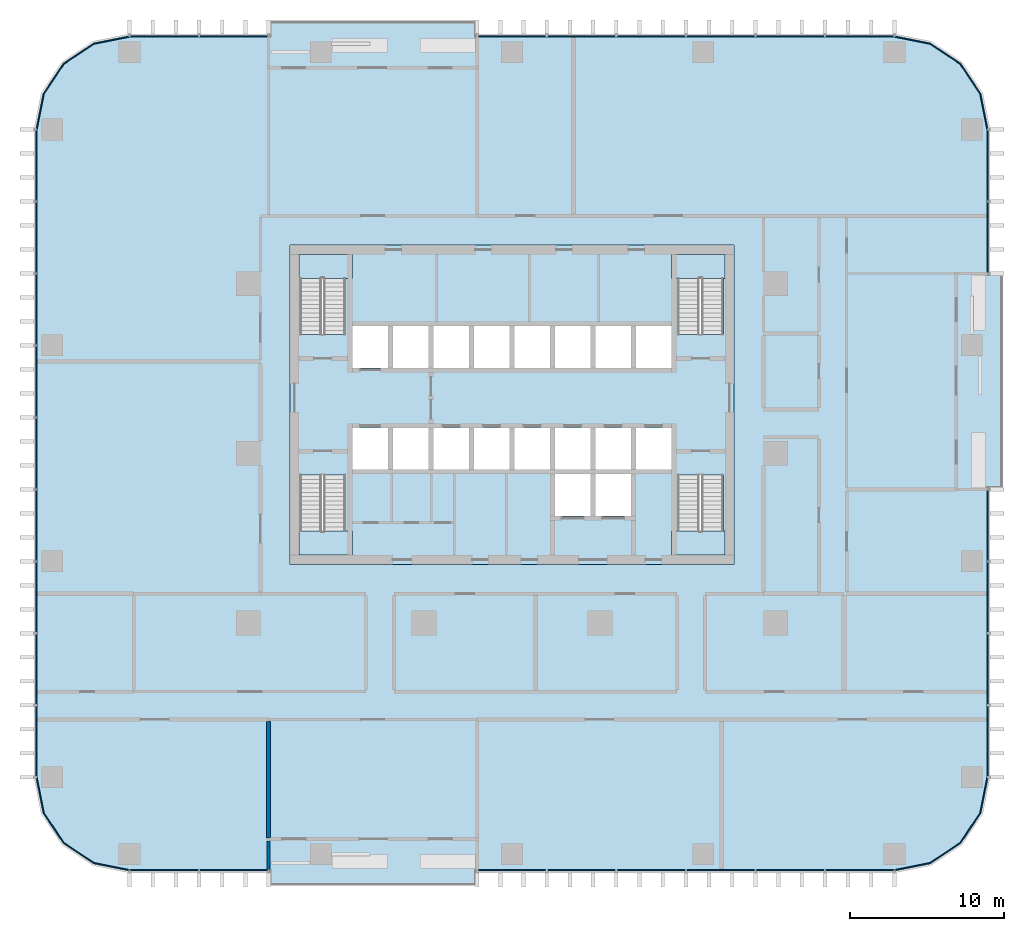
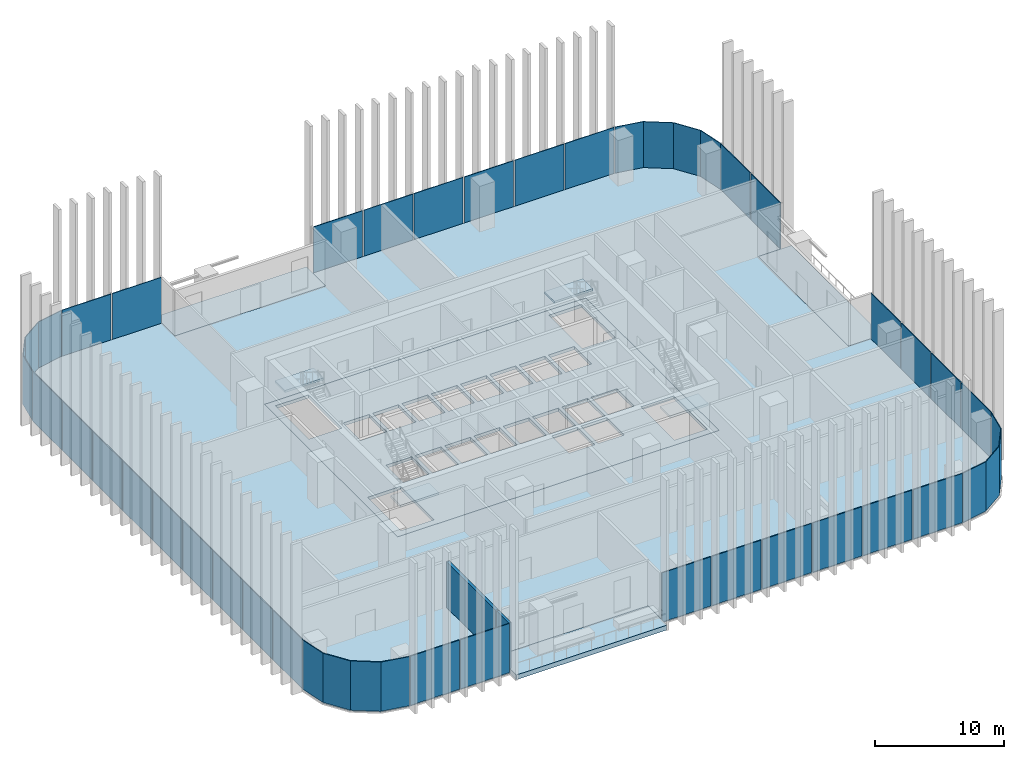
# One storey, part 6 of 17: 35 plates, 9 slabs, 2 walls, 15 elements without a shape of their own.
"""IFC4 building model written with IfcOpenShell, lengths in metres."""

import ifcopenshell
import ifcopenshell.guid

model = None  # the IFC model being written
_history = None  # IfcOwnerHistory: only IFC2X3 demands one
_inside = {}  # id of a spatial element -> (the spatial element, [elements in it])
_under = {}  # id of a project, library or spatial element -> (it, [spatial elements below it])
_declared = {}  # id of a project -> (the project, [libraries it declares])
_typed = {}  # id of a type object -> (the type object, [elements of that type])
_made_of = {}  # id of a material, layer set ... -> (it, [elements and type objects made of it])


def new_model(schema):
    """Start an empty IFC model of exactly this schema.

    Asked for "IFC4X3", IfcOpenShell would pick the latest addendum, in which some entities
    have other attributes; the version numbers below select the first issue.
    IFC2X3 requires an IfcOwnerHistory on every rooted entity: one is made here for all.
    """
    global model, _history
    if schema == "IFC4X3":
        model = ifcopenshell.file(schema_version=(4, 3, 0, 0))
    else:
        model = ifcopenshell.file(schema=schema)
    _inside.clear()
    _under.clear()
    _declared.clear()
    _typed.clear()
    _made_of.clear()
    _history = None
    if model.schema == "IFC2X3":
        org = make("IfcOrganization", Name="unknown")
        user = make(
            "IfcPersonAndOrganization",
            ThePerson=make("IfcPerson", FamilyName="unknown"),
            TheOrganization=org,
        )
        app = make(
            "IfcApplication",
            ApplicationDeveloper=org,
            Version="unknown",
            ApplicationFullName="unknown",
            ApplicationIdentifier="unknown",
        )
        _history = make(
            "IfcOwnerHistory",
            OwningUser=user,
            OwningApplication=app,
            ChangeAction="ADDED",
            CreationDate=0,
        )
    return model


def make(cls, **values):
    """One entity of the class cls with the attributes given. An attribute that is None is left unset."""
    return model.create_entity(
        cls, **{name: value for name, value in values.items() if value is not None}
    )


def rooted(cls, **values):
    """An entity with a GlobalId (a new one), such as an element, a storey or a relation."""
    return make(cls, GlobalId=ifcopenshell.guid.new(), OwnerHistory=_history, **values)


def si_unit(unit_type, name, prefix=None):
    """IfcSIUnit, for example si_unit("LENGTHUNIT", "METRE", prefix="MILLI")."""
    return make("IfcSIUnit", UnitType=unit_type, Prefix=prefix, Name=name)


def assignment(units):
    """IfcUnitAssignment: the units of a project."""
    return None if units is None else make("IfcUnitAssignment", Units=units)


def point(xyz):
    """IfcCartesianPoint."""
    return None if xyz is None else make("IfcCartesianPoint", Coordinates=xyz)


def direction(xyz):
    """IfcDirection."""
    return None if xyz is None else make("IfcDirection", DirectionRatios=xyz)


def frame(location, z_axis=None, x_axis=None):
    """IfcAxis2Placement3D, a coordinate frame: its origin and axes. An axis left out is left unset."""
    return make(
        "IfcAxis2Placement3D",
        Location=point(location),
        Axis=direction(z_axis),
        RefDirection=direction(x_axis),
    )


def frame_2d(location, x_axis=None):
    """IfcAxis2Placement2D, a coordinate frame in the plane: its origin and x axis."""
    return make(
        "IfcAxis2Placement2D", Location=point(location), RefDirection=direction(x_axis)
    )


def origin():
    """The frame at (0, 0, 0) with its axes left unset."""
    return frame((0.0, 0.0, 0.0))


def origin_2d():
    """The frame at (0, 0) in the plane with its x axis left unset."""
    return frame_2d((0.0, 0.0))


def place(relative_to, where):
    """IfcLocalPlacement: puts the frame where relative to a parent placement (None: the world)."""
    return make(
        "IfcLocalPlacement", PlacementRelTo=relative_to, RelativePlacement=where
    )


def context(
    kind, dimensions, precision=None, world=None, true_north=None, identifier=None
):
    """IfcGeometricRepresentationContext, for example the 3D "Model" context."""
    return make(
        "IfcGeometricRepresentationContext",
        ContextIdentifier=identifier,
        ContextType=kind,
        CoordinateSpaceDimension=dimensions,
        Precision=precision,
        WorldCoordinateSystem=world,
        TrueNorth=true_north,
    )


def subcontext(parent, identifier, kind, view, scale=None):
    """IfcGeometricRepresentationSubContext, for example "Body" below "Model"."""
    return make(
        "IfcGeometricRepresentationSubContext",
        ContextIdentifier=identifier,
        ContextType=kind,
        ParentContext=parent,
        TargetScale=scale,
        TargetView=view,
    )


def project(units=None, contexts=None):
    """IfcProject with its units and contexts."""
    return rooted(
        "IfcProject",
        Name="project",
        RepresentationContexts=contexts,
        UnitsInContext=assignment(units),
    )


def spatial(cls, under=None, at=None, **own):
    """A site, building, storey or space (cls), placed at a placement, below another one or the project."""
    s = rooted(cls, ObjectPlacement=at, **own)
    if under is not None:
        _under.setdefault(under.id(), (under, []))[1].append(s)
    return s


def polyline(points):
    """IfcPolyline through the points."""
    return make("IfcPolyline", Points=[point(p) for p in points])


def profile(cls, at=None, kind="AREA", **sizes):
    """A parametric profile (cls). Its sizes go by their IFC names, for example OverallWidth=200.0."""
    return make(cls, ProfileType=kind, Position=at, **sizes)


def rectangle(**sizes):
    """IfcRectangleProfileDef."""
    return profile("IfcRectangleProfileDef", **sizes)


def outline(outer, holes=None, kind="AREA"):
    """IfcArbitraryClosedProfileDef: a profile drawn as a closed curve; with holes, ...WithVoids."""
    if holes is None:
        return make("IfcArbitraryClosedProfileDef", ProfileType=kind, OuterCurve=outer)
    return make(
        "IfcArbitraryProfileDefWithVoids",
        ProfileType=kind,
        OuterCurve=outer,
        InnerCurves=holes,
    )


def extrude(swept, where, along, depth):
    """IfcExtrudedAreaSolid: the profile swept, set in the frame where, extruded along a direction by depth."""
    return make(
        "IfcExtrudedAreaSolid",
        SweptArea=swept,
        Position=where,
        ExtrudedDirection=direction(along),
        Depth=depth,
    )


def shape(context_of_items, identifier, shape_type, items):
    """IfcShapeRepresentation: the items that make up one representation, for example the "Body"."""
    return make(
        "IfcShapeRepresentation",
        ContextOfItems=context_of_items,
        RepresentationIdentifier=identifier,
        RepresentationType=shape_type,
        Items=items,
    )


def material(Name=None, Category=None):
    """IfcMaterial."""
    return make("IfcMaterial", Name=Name, Category=Category)


def layer(
    of_material, thickness, ventilated=None, Name=None, Category=None, Priority=None
):
    """IfcMaterialLayer: one layer of a wall or slab, of a material (None: an air gap)."""
    return make(
        "IfcMaterialLayer",
        Material=of_material,
        LayerThickness=thickness,
        IsVentilated=ventilated,
        Name=Name,
        Category=Category,
        Priority=Priority,
    )


def layer_set(layers, Name=None):
    """IfcMaterialLayerSet."""
    return make("IfcMaterialLayerSet", MaterialLayers=layers, LayerSetName=Name)


def made_of(thing, what):
    """Note that an element or type object is made of a material, layer set ...; save() writes the relation."""
    if what is not None:
        _made_of.setdefault(what.id(), (what, []))[1].append(thing)
    return thing


def type_object(cls, material=None, **own):
    """A type object (cls), such as IfcWallType, which elements share."""
    return made_of(rooted(cls, **own), material)


def element(
    cls,
    number,
    at=None,
    inside=None,
    cuts=None,
    type_object=None,
    material=None,
    context=None,
    identifier="Body",
    shape_type=None,
    held_by="IfcProductDefinitionShape",
    body=None,
    shapes=None,
    **own,
):
    """One element of the class cls, such as IfcWall. Its Tag is "e" and its number.

    at: its placement. inside: the storey or other place that contains it. cuts: it is an
    opening in that element (IfcRelVoidsElement). A single representation is given by context,
    identifier, shape_type and body (its items); several are given by shapes. held_by: the class
    of the entity that holds the representations. save() writes the other relations.
    """
    e = rooted(cls, Tag="e%d" % number, ObjectPlacement=at, **own)
    if body is not None:
        shapes = [shape(context, identifier, shape_type, body)]
    if shapes is not None:
        e.Representation = make(held_by, Representations=shapes)
    if inside is not None:
        _inside.setdefault(inside.id(), (inside, []))[1].append(e)
    if cuts is not None:
        rooted(
            "IfcRelVoidsElement", RelatingBuildingElement=cuts, RelatedOpeningElement=e
        )
    if type_object is not None:
        _typed.setdefault(type_object.id(), (type_object, []))[1].append(e)
    return made_of(e, material)


def aggregate(whole, parts):
    """IfcRelAggregates: a whole, such as a stair, and the parts it consists of."""
    return rooted("IfcRelAggregates", RelatingObject=whole, RelatedObjects=parts)


def save(model, path):
    """Write the relations noted so far, then the file.

    IfcRelAggregates (storeys below a building ...), IfcRelContainedInSpatialStructure (elements
    in a storey), IfcRelDefinesByType, IfcRelAssociatesMaterial and IfcRelDeclares: one each for
    every whole, place, type object, material and project.
    """
    for whole, parts in _under.values():
        aggregate(whole, parts)
    for where, things in _inside.values():
        rooted(
            "IfcRelContainedInSpatialStructure",
            RelatedElements=things,
            RelatingStructure=where,
        )
    for kind, things in _typed.values():
        rooted("IfcRelDefinesByType", RelatedObjects=things, RelatingType=kind)
    for what, things in _made_of.values():
        rooted("IfcRelAssociatesMaterial", RelatedObjects=things, RelatingMaterial=what)
    for by, libraries in _declared.values():
        rooted("IfcRelDeclares", RelatingContext=by, RelatedDefinitions=libraries)
    model.write(path)


model = new_model("IFC4")

# Units and contexts
model_context = context("Model", 3, precision=1e-05, world=origin(), true_north=direction((0.0, 1.0)))
body_context = subcontext(model_context, "Body", "Model", "MODEL_VIEW")
ifc_project = project(units=[si_unit("LENGTHUNIT", "METRE"), si_unit("AREAUNIT", "SQUARE_METRE"), si_unit("VOLUMEUNIT", "CUBIC_METRE"), si_unit("PLANEANGLEUNIT", "RADIAN"), si_unit("MASSUNIT", "GRAM", prefix="KILO")], contexts=[model_context])

# Site, building, storey
site_placement = place(None, origin())
site = spatial("IfcSite", under=ifc_project, at=site_placement, CompositionType="ELEMENT")
building_placement = place(site_placement, origin())
building = spatial("IfcBuilding", under=site, at=building_placement, Name="Mopane Tessera Tower", CompositionType="ELEMENT")
storey_placement = place(building_placement, frame((0.0, 0.0, 74.199951171875)))
storey = spatial("IfcBuildingStorey", under=building, at=storey_placement, Name="L14", CompositionType="ELEMENT", Elevation=74.199951171875)

# Slab
ifc_material_1 = material(Name="Concrete C40/50", Category="concrete")
ifc_layer_1 = layer(ifc_material_1, 0.300048828125)
ifc_layer_set_1 = layer_set([ifc_layer_1], Name="Concrete C40/50")
slab_type_1 = type_object("IfcSlabType", Name="Core floor slab 300 mm", PredefinedType="FLOOR", material=ifc_layer_set_1)
slab_1_placement = place(storey_placement, frame((0.0, 0.0, -0.300048828125)))
element("IfcSlab", 1, at=slab_1_placement, inside=storey, type_object=slab_type_1, Name="L14 core floor slab", PredefinedType="FLOOR", context=body_context, shape_type="SweptSolid", body=[
    extrude(outline(polyline([(-14.39990234375, -7.199951171875), (14.39990234375, -7.199951171875), (14.39990234375, 13.5), (-14.39990234375, 13.5), (-14.39990234375, -7.199951171875)]), holes=[polyline([(-10.35009765625, -1.050048828125), (-8.02490234375, -1.050048828125), (-8.02490234375, 1.64990234375), (-10.35009765625, 1.64990234375), (-10.35009765625, -1.050048828125)]), polyline([(-7.72509765625, -1.050048828125), (-5.39990234375, -1.050048828125), (-5.39990234375, 1.64990234375), (-7.72509765625, 1.64990234375), (-7.72509765625, -1.050048828125)]), polyline([(-5.10009765625, -1.050048828125), (-2.77490234375, -1.050048828125), (-2.77490234375, 1.64990234375), (-5.10009765625, 1.64990234375), (-5.10009765625, -1.050048828125)]), polyline([(-2.47509765625, -1.050048828125), (-0.14990234375, -1.050048828125), (-0.14990234375, 1.64990234375), (-2.47509765625, 1.64990234375), (-2.47509765625, -1.050048828125)]), polyline([(0.14990234375, -1.050048828125), (2.47509765625, -1.050048828125), (2.47509765625, 1.64990234375), (0.14990234375, 1.64990234375), (0.14990234375, -1.050048828125)]), polyline([(2.77490234375, -1.050048828125), (5.10009765625, -1.050048828125), (5.10009765625, 1.64990234375), (2.77490234375, 1.64990234375), (2.77490234375, -1.050048828125)]), polyline([(5.39990234375, -1.050048828125), (7.72509765625, -1.050048828125), (7.72509765625, 1.64990234375), (5.39990234375, 1.64990234375), (5.39990234375, -1.050048828125)]), polyline([(8.02490234375, -1.050048828125), (10.35009765625, -1.050048828125), (10.35009765625, 1.64990234375), (8.02490234375, 1.64990234375), (8.02490234375, -1.050048828125)]), polyline([(-10.35009765625, 5.550048828125), (-8.02490234375, 5.550048828125), (-8.02490234375, 8.25), (-10.35009765625, 8.25), (-10.35009765625, 5.550048828125)]), polyline([(-7.72509765625, 5.550048828125), (-5.39990234375, 5.550048828125), (-5.39990234375, 8.25), (-7.72509765625, 8.25), (-7.72509765625, 5.550048828125)]), polyline([(-5.10009765625, 5.550048828125), (-2.77490234375, 5.550048828125), (-2.77490234375, 8.25), (-5.10009765625, 8.25), (-5.10009765625, 5.550048828125)]), polyline([(-2.47509765625, 5.550048828125), (-0.14990234375, 5.550048828125), (-0.14990234375, 8.25), (-2.47509765625, 8.25), (-2.47509765625, 5.550048828125)]), polyline([(0.14990234375, 5.550048828125), (2.47509765625, 5.550048828125), (2.47509765625, 8.25), (0.14990234375, 8.25), (0.14990234375, 5.550048828125)]), polyline([(2.77490234375, 5.550048828125), (5.10009765625, 5.550048828125), (5.10009765625, 8.25), (2.77490234375, 8.25), (2.77490234375, 5.550048828125)]), polyline([(5.39990234375, 5.550048828125), (7.72509765625, 5.550048828125), (7.72509765625, 8.25), (5.39990234375, 8.25), (5.39990234375, 5.550048828125)]), polyline([(8.02490234375, 5.550048828125), (10.35009765625, 5.550048828125), (10.35009765625, 8.25), (8.02490234375, 8.25), (8.02490234375, 5.550048828125)]), polyline([(2.77490234375, -4.050048828125), (5.10009765625, -4.050048828125), (5.10009765625, -1.35009765625), (2.77490234375, -1.35009765625), (2.77490234375, -4.050048828125)]), polyline([(5.39990234375, -4.050048828125), (7.72509765625, -4.050048828125), (7.72509765625, -1.35009765625), (5.39990234375, -1.35009765625), (5.39990234375, -4.050048828125)]), polyline([(-13.75, -1.405029296875), (-13.75, -6.60009765625), (-10.800048828125, -6.60009765625), (-10.800048828125, -1.405029296875), (-13.75, -1.405029296875)]), polyline([(-10.800048828125, 7.705078125), (-10.800048828125, 12.89990234375), (-13.75, 12.89990234375), (-13.75, 7.705078125), (-10.800048828125, 7.705078125)]), polyline([(10.75, -1.405029296875), (10.75, -6.60009765625), (13.699951171875, -6.60009765625), (13.699951171875, -1.405029296875), (10.75, -1.405029296875)]), polyline([(13.699951171875, 7.705078125), (13.699951171875, 12.89990234375), (10.75, 12.89990234375), (10.75, 7.705078125), (13.699951171875, 7.705078125)])]), origin(), (0.0, 0.0, 1.0), 0.300048828125),
])

# Stair, slab
ifc_material_2 = material(Name="Concrete C50/60", Category="concrete")
stair_type = type_object("IfcStairType", Name="Escape stair 1400 mm, riser 171 mm", PredefinedType="HALF_TURN_STAIR", material=ifc_material_2)
stair_1_placement = place(storey_placement, origin())
stair_1 = element("IfcStair", 2, at=stair_1_placement, inside=storey, type_object=stair_type, Name="L14 Escape stair south-west", PredefinedType="HALF_TURN_STAIR")
ifc_material_3 = material(Name="Concrete C50/60", Category="concrete")
ifc_layer_2 = layer(ifc_material_3, 0.199951171875)
ifc_layer_set_2 = layer_set([ifc_layer_2], Name="Concrete C50/60")
slab_type_2 = type_object("IfcSlabType", Name="Escape stair landing 200 mm", PredefinedType="LANDING", material=ifc_layer_set_2)
slab_2_placement = place(storey_placement, frame((0.0, 0.0, 2.199951171875)))
slab_2 = element("IfcSlab", 3, at=slab_2_placement, type_object=slab_type_2, Name="ST1 landing 1", PredefinedType="LANDING", context=body_context, shape_type="SweptSolid", body=[
    extrude(outline(polyline([(-13.800048828125, -5.0400390625), (-13.800048828125, -6.60009765625), (-10.35009765625, -6.60009765625), (-10.35009765625, -5.0400390625), (-13.800048828125, -5.0400390625)])), origin(), (0.0, 0.0, 1.0), 0.2001953125),
])
aggregate(stair_1, [slab_2])

stair_2_placement = place(storey_placement, origin())
stair_2 = element("IfcStair", 4, at=stair_2_placement, inside=storey, type_object=stair_type, Name="L14 Escape stair north-west", PredefinedType="HALF_TURN_STAIR")
slab_3_placement = place(storey_placement, frame((0.0, 0.0, 2.199951171875)))
slab_3 = element("IfcSlab", 5, at=slab_3_placement, type_object=slab_type_2, Name="ST2 landing 1", PredefinedType="LANDING", context=body_context, shape_type="SweptSolid", body=[
    extrude(outline(polyline([(-10.35009765625, 11.340087890625), (-10.35009765625, 12.89990234375), (-13.800048828125, 12.89990234375), (-13.800048828125, 11.340087890625), (-10.35009765625, 11.340087890625)])), origin(), (0.0, 0.0, 1.0), 0.2001953125),
])
aggregate(stair_2, [slab_3])

stair_3_placement = place(storey_placement, origin())
stair_3 = element("IfcStair", 6, at=stair_3_placement, inside=storey, type_object=stair_type, Name="L14 Escape stair south-east", PredefinedType="HALF_TURN_STAIR")
slab_4_placement = place(storey_placement, frame((0.0, 0.0, 2.199951171875)))
slab_4 = element("IfcSlab", 7, at=slab_4_placement, type_object=slab_type_2, Name="ST3 landing 1", PredefinedType="LANDING", context=body_context, shape_type="SweptSolid", body=[
    extrude(outline(polyline([(10.35009765625, -5.0400390625), (10.35009765625, -6.60009765625), (13.800048828125, -6.60009765625), (13.800048828125, -5.0400390625), (10.35009765625, -5.0400390625)])), origin(), (0.0, 0.0, 1.0), 0.2001953125),
])
aggregate(stair_3, [slab_4])

stair_4_placement = place(storey_placement, origin())
stair_4 = element("IfcStair", 8, at=stair_4_placement, inside=storey, type_object=stair_type, Name="L14 Escape stair north-east", PredefinedType="HALF_TURN_STAIR")
slab_5_placement = place(storey_placement, frame((0.0, 0.0, 2.199951171875)))
slab_5 = element("IfcSlab", 9, at=slab_5_placement, type_object=slab_type_2, Name="ST4 landing 1", PredefinedType="LANDING", context=body_context, shape_type="SweptSolid", body=[
    extrude(outline(polyline([(13.800048828125, 11.340087890625), (13.800048828125, 12.89990234375), (10.35009765625, 12.89990234375), (10.35009765625, 11.340087890625), (13.800048828125, 11.340087890625)])), origin(), (0.0, 0.0, 1.0), 0.2001953125),
])
aggregate(stair_4, [slab_5])

# Curtain wall, plates
ifc_material_4 = material(Name="Aluminium frame", Category="aluminium")
curtain_wall_type = type_object("IfcCurtainWallType", Name="Lower tower unitised wall", PredefinedType="NOTDEFINED", material=ifc_material_4)
curtain_wall_1_placement = place(storey_placement, origin())
curtain_wall_1 = element("IfcCurtainWall", 10, at=curtain_wall_1_placement, inside=storey, type_object=curtain_wall_type, Name="e:cw:L14:S:0", PredefinedType="NOTDEFINED")
ifc_material_5 = material(Name="Clear laminated glass", Category="glass")
ifc_layer_3 = layer(ifc_material_5, 0.070068359375)
ifc_layer_set_3 = layer_set([ifc_layer_3], Name="Clear laminated glass")
plate_type = type_object("IfcPlateType", Name="Laminated glazed unit 70", PredefinedType="CURTAIN_PANEL", material=ifc_layer_set_3)
plate_1_placement = place(storey_placement, frame((-22.54541015625, -27.034912109375, -0.31005859375), z_axis=(0.0, 0.0, 1.0), x_axis=(1.0, 0.0, 0.0)))
plate_1 = element("IfcPlate", 11, at=plate_1_placement, type_object=plate_type, Name="e:cw:L14:S:0:pn0", PredefinedType="CURTAIN_PANEL", context=body_context, shape_type="SweptSolid", body=[
    extrude(rectangle(XDim=4.399169921875, YDim=0.070068359375, at=origin_2d()), origin(), (0.0, 0.0, 1.0), 4.659912109375),
])
plate_2_placement = place(storey_placement, frame((-18.036376953125, -27.034912109375, -0.31005859375), z_axis=(0.0, 0.0, 1.0), x_axis=(1.0, 0.0, 0.0)))
plate_2 = element("IfcPlate", 12, at=plate_2_placement, type_object=plate_type, Name="e:cw:L14:S:0:pn1", PredefinedType="CURTAIN_PANEL", context=body_context, shape_type="SweptSolid", body=[
    extrude(rectangle(XDim=4.399169921875, YDim=0.070068359375, at=origin_2d()), origin(), (0.0, 0.0, 1.0), 4.659912109375),
])
aggregate(curtain_wall_1, [plate_1, plate_2])

curtain_wall_2_placement = place(storey_placement, origin())
curtain_wall_2 = element("IfcCurtainWall", 13, at=curtain_wall_2_placement, inside=storey, type_object=curtain_wall_type, Name="e:cw:L14:S:5", PredefinedType="NOTDEFINED")
plate_3_placement = place(storey_placement, frame((0.0, -27.034912109375, -0.31005859375), z_axis=(0.0, 0.0, 1.0), x_axis=(1.0, 0.0, 0.0)))
plate_3 = element("IfcPlate", 14, at=plate_3_placement, type_object=plate_type, Name="e:cw:L14:S:5:pn5", PredefinedType="CURTAIN_PANEL", context=body_context, shape_type="SweptSolid", body=[
    extrude(rectangle(XDim=4.399169921875, YDim=0.070068359375, at=origin_2d()), origin(), (0.0, 0.0, 1.0), 4.659912109375),
])
plate_4_placement = place(storey_placement, frame((4.509033203125, -27.034912109375, -0.31005859375), z_axis=(0.0, 0.0, 1.0), x_axis=(1.0, 0.0, 0.0)))
plate_4 = element("IfcPlate", 15, at=plate_4_placement, type_object=plate_type, Name="e:cw:L14:S:5:pn6", PredefinedType="CURTAIN_PANEL", context=body_context, shape_type="SweptSolid", body=[
    extrude(rectangle(XDim=4.399169921875, YDim=0.070068359375, at=origin_2d()), origin(), (0.0, 0.0, 1.0), 4.659912109375),
])
plate_5_placement = place(storey_placement, frame((9.01806640625, -27.034912109375, -0.31005859375), z_axis=(0.0, 0.0, 1.0), x_axis=(1.0, 0.0, 0.0)))
plate_5 = element("IfcPlate", 16, at=plate_5_placement, type_object=plate_type, Name="e:cw:L14:S:5:pn7", PredefinedType="CURTAIN_PANEL", context=body_context, shape_type="SweptSolid", body=[
    extrude(rectangle(XDim=4.399169921875, YDim=0.070068359375, at=origin_2d()), origin(), (0.0, 0.0, 1.0), 4.659912109375),
])
plate_6_placement = place(storey_placement, frame((13.52734375, -27.034912109375, -0.31005859375), z_axis=(0.0, 0.0, 1.0), x_axis=(1.0, 0.0, 0.0)))
plate_6 = element("IfcPlate", 17, at=plate_6_placement, type_object=plate_type, Name="e:cw:L14:S:5:pn8", PredefinedType="CURTAIN_PANEL", context=body_context, shape_type="SweptSolid", body=[
    extrude(rectangle(XDim=4.399169921875, YDim=0.070068359375, at=origin_2d()), origin(), (0.0, 0.0, 1.0), 4.659912109375),
])
plate_7_placement = place(storey_placement, frame((18.036376953125, -27.034912109375, -0.31005859375), z_axis=(0.0, 0.0, 1.0), x_axis=(1.0, 0.0, 0.0)))
plate_7 = element("IfcPlate", 18, at=plate_7_placement, type_object=plate_type, Name="e:cw:L14:S:5:pn9", PredefinedType="CURTAIN_PANEL", context=body_context, shape_type="SweptSolid", body=[
    extrude(rectangle(XDim=4.399169921875, YDim=0.070068359375, at=origin_2d()), origin(), (0.0, 0.0, 1.0), 4.659912109375),
])
plate_8_placement = place(storey_placement, frame((22.54541015625, -27.034912109375, -0.31005859375), z_axis=(0.0, 0.0, 1.0), x_axis=(1.0, 0.0, 0.0)))
plate_8 = element("IfcPlate", 19, at=plate_8_placement, type_object=plate_type, Name="e:cw:L14:S:5:pn10", PredefinedType="CURTAIN_PANEL", context=body_context, shape_type="SweptSolid", body=[
    extrude(rectangle(XDim=4.399169921875, YDim=0.070068359375, at=origin_2d()), origin(), (0.0, 0.0, 1.0), 4.659912109375),
])
aggregate(curtain_wall_2, [plate_3, plate_4, plate_5, plate_6, plate_7, plate_8])

# Curtain wall, plate
curtain_wall_3_placement = place(storey_placement, origin())
curtain_wall_3 = element("IfcCurtainWall", 20, at=curtain_wall_3_placement, inside=storey, type_object=curtain_wall_type, Name="e:cw:L14:CS", PredefinedType="NOTDEFINED")
plate_9_placement = place(storey_placement, frame((0.0, 0.0, -0.31005859375)))
plate_9 = element("IfcPlate", 21, at=plate_9_placement, type_object=plate_type, Name="e:cw:L14:CS:pn", PredefinedType="CURTAIN_PANEL", context=body_context, shape_type="SweptSolid", body=[
    extrude(outline(polyline([(24.800048828125, -27.0), (27.09619140625, -26.543212890625), (29.042724609375, -25.24267578125), (30.34326171875, -23.296142578125), (30.800048828125, -21.0), (30.8701171875, -21.0), (30.407958984375, -23.322998046875), (29.092041015625, -25.292236328125), (27.122802734375, -26.60791015625), (24.800048828125, -27.070068359375), (24.800048828125, -27.0)])), origin(), (0.0, 0.0, 1.0), 4.66015625),
])
aggregate(curtain_wall_3, [plate_9])

# Curtain wall, plates
curtain_wall_4_placement = place(storey_placement, origin())
curtain_wall_4 = element("IfcCurtainWall", 22, at=curtain_wall_4_placement, inside=storey, type_object=curtain_wall_type, Name="e:cw:L14:E:0", PredefinedType="NOTDEFINED")
plate_10_placement = place(storey_placement, frame((30.8349609375, -18.666748046875, -0.31005859375), z_axis=(0.0, 0.0, 1.0), x_axis=(0.0, 1.0, 0.0)))
plate_10 = element("IfcPlate", 23, at=plate_10_placement, type_object=plate_type, Name="e:cw:L14:E:0:pn0", PredefinedType="CURTAIN_PANEL", context=body_context, shape_type="SweptSolid", body=[
    extrude(rectangle(XDim=4.556640625, YDim=0.070068359375, at=origin_2d()), origin(), (0.0, 0.0, 1.0), 4.659912109375),
])
plate_11_placement = place(storey_placement, frame((30.8349609375, -14.0, -0.31005859375), z_axis=(0.0, 0.0, 1.0), x_axis=(0.0, 1.0, 0.0)))
plate_11 = element("IfcPlate", 24, at=plate_11_placement, type_object=plate_type, Name="e:cw:L14:E:0:pn1", PredefinedType="CURTAIN_PANEL", context=body_context, shape_type="SweptSolid", body=[
    extrude(rectangle(XDim=4.556640625, YDim=0.070068359375, at=origin_2d()), origin(), (0.0, 0.0, 1.0), 4.659912109375),
])
plate_12_placement = place(storey_placement, frame((30.8349609375, -9.333251953125, -0.31005859375), z_axis=(0.0, 0.0, 1.0), x_axis=(0.0, 1.0, 0.0)))
plate_12 = element("IfcPlate", 25, at=plate_12_placement, type_object=plate_type, Name="e:cw:L14:E:0:pn2", PredefinedType="CURTAIN_PANEL", context=body_context, shape_type="SweptSolid", body=[
    extrude(rectangle(XDim=4.556640625, YDim=0.070068359375, at=origin_2d()), origin(), (0.0, 0.0, 1.0), 4.659912109375),
])
plate_13_placement = place(storey_placement, frame((30.8349609375, -4.666748046875, -0.31005859375), z_axis=(0.0, 0.0, 1.0), x_axis=(0.0, 1.0, 0.0)))
plate_13 = element("IfcPlate", 26, at=plate_13_placement, type_object=plate_type, Name="e:cw:L14:E:0:pn3", PredefinedType="CURTAIN_PANEL", context=body_context, shape_type="SweptSolid", body=[
    extrude(rectangle(XDim=4.556640625, YDim=0.070068359375, at=origin_2d()), origin(), (0.0, 0.0, 1.0), 4.659912109375),
])
aggregate(curtain_wall_4, [plate_10, plate_11, plate_12, plate_13])

curtain_wall_5_placement = place(storey_placement, origin())
curtain_wall_5 = element("IfcCurtainWall", 27, at=curtain_wall_5_placement, inside=storey, type_object=curtain_wall_type, Name="e:cw:L14:E:7", PredefinedType="NOTDEFINED")
plate_14_placement = place(storey_placement, frame((30.8349609375, 14.0, -0.31005859375), z_axis=(0.0, 0.0, 1.0), x_axis=(0.0, 1.0, 0.0)))
plate_14 = element("IfcPlate", 28, at=plate_14_placement, type_object=plate_type, Name="e:cw:L14:E:7:pn7", PredefinedType="CURTAIN_PANEL", context=body_context, shape_type="SweptSolid", body=[
    extrude(rectangle(XDim=4.556640625, YDim=0.070068359375, at=origin_2d()), origin(), (0.0, 0.0, 1.0), 4.659912109375),
])
plate_15_placement = place(storey_placement, frame((30.8349609375, 18.666748046875, -0.31005859375), z_axis=(0.0, 0.0, 1.0), x_axis=(0.0, 1.0, 0.0)))
plate_15 = element("IfcPlate", 29, at=plate_15_placement, type_object=plate_type, Name="e:cw:L14:E:7:pn8", PredefinedType="CURTAIN_PANEL", context=body_context, shape_type="SweptSolid", body=[
    extrude(rectangle(XDim=4.556640625, YDim=0.070068359375, at=origin_2d()), origin(), (0.0, 0.0, 1.0), 4.659912109375),
])
aggregate(curtain_wall_5, [plate_14, plate_15])

# Curtain wall, plate
curtain_wall_6_placement = place(storey_placement, origin())
curtain_wall_6 = element("IfcCurtainWall", 30, at=curtain_wall_6_placement, inside=storey, type_object=curtain_wall_type, Name="e:cw:L14:CE", PredefinedType="NOTDEFINED")
plate_16_placement = place(storey_placement, frame((0.0, 0.0, -0.31005859375)))
plate_16 = element("IfcPlate", 31, at=plate_16_placement, type_object=plate_type, Name="e:cw:L14:CE:pn", PredefinedType="CURTAIN_PANEL", context=body_context, shape_type="SweptSolid", body=[
    extrude(outline(polyline([(30.800048828125, 21.0), (30.34326171875, 23.296142578125), (29.042724609375, 25.24267578125), (27.09619140625, 26.543212890625), (24.800048828125, 27.0), (24.800048828125, 27.070068359375), (27.122802734375, 26.60791015625), (29.092041015625, 25.292236328125), (30.407958984375, 23.322998046875), (30.8701171875, 21.0), (30.800048828125, 21.0)])), origin(), (0.0, 0.0, 1.0), 4.66015625),
])
aggregate(curtain_wall_6, [plate_16])

# Curtain wall, plates
curtain_wall_7_placement = place(storey_placement, origin())
curtain_wall_7 = element("IfcCurtainWall", 32, at=curtain_wall_7_placement, inside=storey, type_object=curtain_wall_type, Name="e:cw:L14:N:0", PredefinedType="NOTDEFINED")
plate_17_placement = place(storey_placement, frame((22.54541015625, 27.034912109375, -0.31005859375), z_axis=(0.0, 0.0, 1.0), x_axis=(-1.0, 0.0, 0.0)))
plate_17 = element("IfcPlate", 33, at=plate_17_placement, type_object=plate_type, Name="e:cw:L14:N:0:pn0", PredefinedType="CURTAIN_PANEL", context=body_context, shape_type="SweptSolid", body=[
    extrude(rectangle(XDim=4.399169921875, YDim=0.070068359375, at=origin_2d()), origin(), (0.0, 0.0, 1.0), 4.659912109375),
])
plate_18_placement = place(storey_placement, frame((18.036376953125, 27.034912109375, -0.31005859375), z_axis=(0.0, 0.0, 1.0), x_axis=(-1.0, 0.0, 0.0)))
plate_18 = element("IfcPlate", 34, at=plate_18_placement, type_object=plate_type, Name="e:cw:L14:N:0:pn1", PredefinedType="CURTAIN_PANEL", context=body_context, shape_type="SweptSolid", body=[
    extrude(rectangle(XDim=4.399169921875, YDim=0.070068359375, at=origin_2d()), origin(), (0.0, 0.0, 1.0), 4.659912109375),
])
plate_19_placement = place(storey_placement, frame((13.52734375, 27.034912109375, -0.31005859375), z_axis=(0.0, 0.0, 1.0), x_axis=(-1.0, 0.0, 0.0)))
plate_19 = element("IfcPlate", 35, at=plate_19_placement, type_object=plate_type, Name="e:cw:L14:N:0:pn2", PredefinedType="CURTAIN_PANEL", context=body_context, shape_type="SweptSolid", body=[
    extrude(rectangle(XDim=4.399169921875, YDim=0.070068359375, at=origin_2d()), origin(), (0.0, 0.0, 1.0), 4.659912109375),
])
plate_20_placement = place(storey_placement, frame((9.01806640625, 27.034912109375, -0.31005859375), z_axis=(0.0, 0.0, 1.0), x_axis=(-1.0, 0.0, 0.0)))
plate_20 = element("IfcPlate", 36, at=plate_20_placement, type_object=plate_type, Name="e:cw:L14:N:0:pn3", PredefinedType="CURTAIN_PANEL", context=body_context, shape_type="SweptSolid", body=[
    extrude(rectangle(XDim=4.399169921875, YDim=0.070068359375, at=origin_2d()), origin(), (0.0, 0.0, 1.0), 4.659912109375),
])
plate_21_placement = place(storey_placement, frame((4.509033203125, 27.034912109375, -0.31005859375), z_axis=(0.0, 0.0, 1.0), x_axis=(-1.0, 0.0, 0.0)))
plate_21 = element("IfcPlate", 37, at=plate_21_placement, type_object=plate_type, Name="e:cw:L14:N:0:pn4", PredefinedType="CURTAIN_PANEL", context=body_context, shape_type="SweptSolid", body=[
    extrude(rectangle(XDim=4.399169921875, YDim=0.070068359375, at=origin_2d()), origin(), (0.0, 0.0, 1.0), 4.659912109375),
])
plate_22_placement = place(storey_placement, frame((0.0, 27.034912109375, -0.31005859375), z_axis=(0.0, 0.0, 1.0), x_axis=(-1.0, 0.0, 0.0)))
plate_22 = element("IfcPlate", 38, at=plate_22_placement, type_object=plate_type, Name="e:cw:L14:N:0:pn5", PredefinedType="CURTAIN_PANEL", context=body_context, shape_type="SweptSolid", body=[
    extrude(rectangle(XDim=4.399169921875, YDim=0.070068359375, at=origin_2d()), origin(), (0.0, 0.0, 1.0), 4.659912109375),
])
aggregate(curtain_wall_7, [plate_17, plate_18, plate_19, plate_20, plate_21, plate_22])

curtain_wall_8_placement = place(storey_placement, origin())
curtain_wall_8 = element("IfcCurtainWall", 39, at=curtain_wall_8_placement, inside=storey, type_object=curtain_wall_type, Name="e:cw:L14:N:9", PredefinedType="NOTDEFINED")
plate_23_placement = place(storey_placement, frame((-18.036376953125, 27.034912109375, -0.31005859375), z_axis=(0.0, 0.0, 1.0), x_axis=(-1.0, 0.0, 0.0)))
plate_23 = element("IfcPlate", 40, at=plate_23_placement, type_object=plate_type, Name="e:cw:L14:N:9:pn9", PredefinedType="CURTAIN_PANEL", context=body_context, shape_type="SweptSolid", body=[
    extrude(rectangle(XDim=4.399169921875, YDim=0.070068359375, at=origin_2d()), origin(), (0.0, 0.0, 1.0), 4.659912109375),
])
plate_24_placement = place(storey_placement, frame((-22.54541015625, 27.034912109375, -0.31005859375), z_axis=(0.0, 0.0, 1.0), x_axis=(-1.0, 0.0, 0.0)))
plate_24 = element("IfcPlate", 41, at=plate_24_placement, type_object=plate_type, Name="e:cw:L14:N:9:pn10", PredefinedType="CURTAIN_PANEL", context=body_context, shape_type="SweptSolid", body=[
    extrude(rectangle(XDim=4.399169921875, YDim=0.070068359375, at=origin_2d()), origin(), (0.0, 0.0, 1.0), 4.659912109375),
])
aggregate(curtain_wall_8, [plate_23, plate_24])

# Curtain wall, plate
curtain_wall_9_placement = place(storey_placement, origin())
curtain_wall_9 = element("IfcCurtainWall", 42, at=curtain_wall_9_placement, inside=storey, type_object=curtain_wall_type, Name="e:cw:L14:CN", PredefinedType="NOTDEFINED")
plate_25_placement = place(storey_placement, frame((0.0, 0.0, -0.31005859375)))
plate_25 = element("IfcPlate", 43, at=plate_25_placement, type_object=plate_type, Name="e:cw:L14:CN:pn", PredefinedType="CURTAIN_PANEL", context=body_context, shape_type="SweptSolid", body=[
    extrude(outline(polyline([(-24.800048828125, 27.0), (-27.09619140625, 26.543212890625), (-29.042724609375, 25.24267578125), (-30.34326171875, 23.296142578125), (-30.800048828125, 21.0), (-30.8701171875, 21.0), (-30.407958984375, 23.322998046875), (-29.092041015625, 25.292236328125), (-27.122802734375, 26.60791015625), (-24.800048828125, 27.070068359375), (-24.800048828125, 27.0)])), origin(), (0.0, 0.0, 1.0), 4.66015625),
])
aggregate(curtain_wall_9, [plate_25])

# Curtain wall, plates
curtain_wall_10_placement = place(storey_placement, origin())
curtain_wall_10 = element("IfcCurtainWall", 44, at=curtain_wall_10_placement, inside=storey, type_object=curtain_wall_type, Name="e:cw:L14:W:0", PredefinedType="NOTDEFINED")
plate_26_placement = place(storey_placement, frame((-30.8349609375, 18.666748046875, -0.31005859375), z_axis=(0.0, 0.0, 1.0), x_axis=(0.0, -1.0, 0.0)))
plate_26 = element("IfcPlate", 45, at=plate_26_placement, type_object=plate_type, Name="e:cw:L14:W:0:pn0", PredefinedType="CURTAIN_PANEL", context=body_context, shape_type="SweptSolid", body=[
    extrude(rectangle(XDim=4.556640625, YDim=0.070068359375, at=origin_2d()), origin(), (0.0, 0.0, 1.0), 4.659912109375),
])
plate_27_placement = place(storey_placement, frame((-30.8349609375, 14.0, -0.31005859375), z_axis=(0.0, 0.0, 1.0), x_axis=(0.0, -1.0, 0.0)))
plate_27 = element("IfcPlate", 46, at=plate_27_placement, type_object=plate_type, Name="e:cw:L14:W:0:pn1", PredefinedType="CURTAIN_PANEL", context=body_context, shape_type="SweptSolid", body=[
    extrude(rectangle(XDim=4.556640625, YDim=0.070068359375, at=origin_2d()), origin(), (0.0, 0.0, 1.0), 4.659912109375),
])
plate_28_placement = place(storey_placement, frame((-30.8349609375, 9.333251953125, -0.31005859375), z_axis=(0.0, 0.0, 1.0), x_axis=(0.0, -1.0, 0.0)))
plate_28 = element("IfcPlate", 47, at=plate_28_placement, type_object=plate_type, Name="e:cw:L14:W:0:pn2", PredefinedType="CURTAIN_PANEL", context=body_context, shape_type="SweptSolid", body=[
    extrude(rectangle(XDim=4.556640625, YDim=0.070068359375, at=origin_2d()), origin(), (0.0, 0.0, 1.0), 4.659912109375),
])
plate_29_placement = place(storey_placement, frame((-30.8349609375, 4.666748046875, -0.31005859375), z_axis=(0.0, 0.0, 1.0), x_axis=(0.0, -1.0, 0.0)))
plate_29 = element("IfcPlate", 48, at=plate_29_placement, type_object=plate_type, Name="e:cw:L14:W:0:pn3", PredefinedType="CURTAIN_PANEL", context=body_context, shape_type="SweptSolid", body=[
    extrude(rectangle(XDim=4.556640625, YDim=0.070068359375, at=origin_2d()), origin(), (0.0, 0.0, 1.0), 4.659912109375),
])
plate_30_placement = place(storey_placement, frame((-30.8349609375, 0.0, -0.31005859375), z_axis=(0.0, 0.0, 1.0), x_axis=(0.0, -1.0, 0.0)))
plate_30 = element("IfcPlate", 49, at=plate_30_placement, type_object=plate_type, Name="e:cw:L14:W:0:pn4", PredefinedType="CURTAIN_PANEL", context=body_context, shape_type="SweptSolid", body=[
    extrude(rectangle(XDim=4.556640625, YDim=0.070068359375, at=origin_2d()), origin(), (0.0, 0.0, 1.0), 4.659912109375),
])
plate_31_placement = place(storey_placement, frame((-30.8349609375, -4.666748046875, -0.31005859375), z_axis=(0.0, 0.0, 1.0), x_axis=(0.0, -1.0, 0.0)))
plate_31 = element("IfcPlate", 50, at=plate_31_placement, type_object=plate_type, Name="e:cw:L14:W:0:pn5", PredefinedType="CURTAIN_PANEL", context=body_context, shape_type="SweptSolid", body=[
    extrude(rectangle(XDim=4.556640625, YDim=0.070068359375, at=origin_2d()), origin(), (0.0, 0.0, 1.0), 4.659912109375),
])
plate_32_placement = place(storey_placement, frame((-30.8349609375, -9.333251953125, -0.31005859375), z_axis=(0.0, 0.0, 1.0), x_axis=(0.0, -1.0, 0.0)))
plate_32 = element("IfcPlate", 51, at=plate_32_placement, type_object=plate_type, Name="e:cw:L14:W:0:pn6", PredefinedType="CURTAIN_PANEL", context=body_context, shape_type="SweptSolid", body=[
    extrude(rectangle(XDim=4.556640625, YDim=0.070068359375, at=origin_2d()), origin(), (0.0, 0.0, 1.0), 4.659912109375),
])
plate_33_placement = place(storey_placement, frame((-30.8349609375, -14.0, -0.31005859375), z_axis=(0.0, 0.0, 1.0), x_axis=(0.0, -1.0, 0.0)))
plate_33 = element("IfcPlate", 52, at=plate_33_placement, type_object=plate_type, Name="e:cw:L14:W:0:pn7", PredefinedType="CURTAIN_PANEL", context=body_context, shape_type="SweptSolid", body=[
    extrude(rectangle(XDim=4.556640625, YDim=0.070068359375, at=origin_2d()), origin(), (0.0, 0.0, 1.0), 4.659912109375),
])
plate_34_placement = place(storey_placement, frame((-30.8349609375, -18.666748046875, -0.31005859375), z_axis=(0.0, 0.0, 1.0), x_axis=(0.0, -1.0, 0.0)))
plate_34 = element("IfcPlate", 53, at=plate_34_placement, type_object=plate_type, Name="e:cw:L14:W:0:pn8", PredefinedType="CURTAIN_PANEL", context=body_context, shape_type="SweptSolid", body=[
    extrude(rectangle(XDim=4.556640625, YDim=0.070068359375, at=origin_2d()), origin(), (0.0, 0.0, 1.0), 4.659912109375),
])
aggregate(curtain_wall_10, [plate_26, plate_27, plate_28, plate_29, plate_30, plate_31, plate_32, plate_33, plate_34])

# Curtain wall, plate
curtain_wall_11_placement = place(storey_placement, origin())
curtain_wall_11 = element("IfcCurtainWall", 54, at=curtain_wall_11_placement, inside=storey, type_object=curtain_wall_type, Name="e:cw:L14:CW", PredefinedType="NOTDEFINED")
plate_35_placement = place(storey_placement, frame((0.0, 0.0, -0.31005859375)))
plate_35 = element("IfcPlate", 55, at=plate_35_placement, type_object=plate_type, Name="e:cw:L14:CW:pn", PredefinedType="CURTAIN_PANEL", context=body_context, shape_type="SweptSolid", body=[
    extrude(outline(polyline([(-30.800048828125, -21.0), (-30.34326171875, -23.296142578125), (-29.042724609375, -25.24267578125), (-27.09619140625, -26.543212890625), (-24.800048828125, -27.0), (-24.800048828125, -27.070068359375), (-27.122802734375, -26.60791015625), (-29.092041015625, -25.292236328125), (-30.407958984375, -23.322998046875), (-30.8701171875, -21.0), (-30.800048828125, -21.0)])), origin(), (0.0, 0.0, 1.0), 4.66015625),
])
aggregate(curtain_wall_11, [plate_35])

# Slabs
ifc_material_6 = material(Name="Concrete C40/50", Category="concrete")
ifc_layer_4 = layer(ifc_material_6, 0.449951171875)
ifc_layer_set_4 = layer_set([ifc_layer_4], Name="Concrete C40/50")
slab_type_3 = type_object("IfcSlabType", Name="Planted terrace slab 450 mm", PredefinedType="FLOOR", material=ifc_layer_set_4)
slab_6_placement = place(storey_placement, frame((0.0, 0.0, -0.449951171875)))
element("IfcSlab", 56, at=slab_6_placement, inside=storey, type_object=slab_type_3, Name="Terrace slab N1 L14", PredefinedType="FLOOR", context=body_context, shape_type="SweptSolid", body=[
    extrude(outline(polyline([(31.800048828125, 11.666748046875), (28.800048828125, 11.666748046875), (28.800048828125, -2.333251953125), (31.800048828125, -2.333251953125), (31.800048828125, 11.666748046875)])), origin(), (0.0, 0.0, 1.0), 0.449951171875),
])
slab_7_placement = place(storey_placement, frame((0.0, 0.0, -0.449951171875)))
element("IfcSlab", 57, at=slab_7_placement, inside=storey, type_object=slab_type_3, Name="Terrace slab N2 L14", PredefinedType="FLOOR", context=body_context, shape_type="SweptSolid", body=[
    extrude(outline(polyline([(-15.78173828125, 28.0), (-15.78173828125, 25.0), (-2.254638671875, 25.0), (-2.254638671875, 28.0), (-15.78173828125, 28.0)])), origin(), (0.0, 0.0, 1.0), 0.449951171875),
])
slab_8_placement = place(storey_placement, frame((0.0, 0.0, -0.449951171875)))
element("IfcSlab", 58, at=slab_8_placement, inside=storey, type_object=slab_type_3, Name="Terrace slab N3 L14", PredefinedType="FLOOR", context=body_context, shape_type="SweptSolid", body=[
    extrude(outline(polyline([(-2.254638671875, -28.0), (-2.254638671875, -25.0), (-15.78173828125, -25.0), (-15.78173828125, -28.0), (-2.254638671875, -28.0)])), origin(), (0.0, 0.0, 1.0), 0.449951171875),
])
ifc_material_7 = material(Name="Concrete C40/50", Category="concrete")
ifc_layer_5 = layer(ifc_material_7, 0.449951171875)
ifc_layer_set_5 = layer_set([ifc_layer_5], Name="Concrete C40/50")
slab_type_4 = type_object("IfcSlabType", Name="Post-tensioned flat plate 450 mm", PredefinedType="FLOOR", material=ifc_layer_set_5)
slab_9_placement = place(storey_placement, frame((0.0, 0.0, -0.449951171875)))
element("IfcSlab", 59, at=slab_9_placement, inside=storey, type_object=slab_type_4, Name="Floor slab L14", PredefinedType="FLOOR", context=body_context, shape_type="SweptSolid", body=[
    extrude(outline(polyline([(-24.800048828125, -27.0), (-15.78173828125, -27.0), (-15.78173828125, -25.0), (-2.254638671875, -25.0), (-2.254638671875, -27.0), (24.800048828125, -27.0), (27.09619140625, -26.543212890625), (29.042724609375, -25.24267578125), (30.34326171875, -23.296142578125), (30.800048828125, -21.0), (30.800048828125, -2.333251953125), (28.800048828125, -2.333251953125), (28.800048828125, 11.666748046875), (30.800048828125, 11.666748046875), (30.800048828125, 21.0), (30.34326171875, 23.296142578125), (29.042724609375, 25.24267578125), (27.09619140625, 26.543212890625), (24.800048828125, 27.0), (-2.254638671875, 27.0), (-2.254638671875, 25.0), (-15.78173828125, 25.0), (-15.78173828125, 27.0), (-24.800048828125, 27.0), (-27.09619140625, 26.543212890625), (-29.042724609375, 25.24267578125), (-30.34326171875, 23.296142578125), (-30.800048828125, 21.0), (-30.800048828125, -21.0), (-30.34326171875, -23.296142578125), (-29.042724609375, -25.24267578125), (-27.09619140625, -26.543212890625), (-24.800048828125, -27.0)]), holes=[polyline([(14.39990234375, -7.199951171875), (-14.39990234375, -7.199951171875), (-14.39990234375, 13.5), (14.39990234375, 13.5), (14.39990234375, -7.199951171875)])]), origin(), (0.0, 0.0, 1.0), 0.449951171875),
])

# Walls
ifc_material_8 = material(Name="Plastered concrete blockwork C20/25", Category="masonry")
ifc_layer_6 = layer(ifc_material_8, 0.25)
ifc_layer_set_6 = layer_set([ifc_layer_6], Name="Plastered concrete blockwork C20/25")
wall_type_1 = type_object("IfcWallType", Name="Plastered blockwork wall 250, rated EI 120", PredefinedType="PARTITIONING", material=ifc_layer_set_6)
wall_1_placement = place(storey_placement, frame((-15.780029296875, -24.949951171875, 0.0), z_axis=(0.0, 0.0, 1.0), x_axis=(0.0, 1.0, 0.0)))
element("IfcWall", 60, at=wall_1_placement, inside=storey, type_object=wall_type_1, Name="Partition L14:029", PredefinedType="PARTITIONING", context=body_context, shape_type="SweptSolid", body=[
    extrude(rectangle(XDim=7.574951171875, YDim=0.25, at=frame_2d((3.78759765625, 0.0))), origin(), (0.0, 0.0, 1.0), 4.35009765625),
])
ifc_material_9 = material(Name="Blockwork with glazed tile facing", Category="masonry")
ifc_layer_7 = layer(ifc_material_9, 0.199951171875)
ifc_layer_set_7 = layer_set([ifc_layer_7], Name="Blockwork with glazed tile facing")
wall_type_2 = type_object("IfcWallType", Name="Terrace cheek wall 200", PredefinedType="STANDARD", material=ifc_layer_set_7)
wall_2_placement = place(storey_placement, frame((-15.78173828125, -27.0, 0.0), z_axis=(0.0, 0.0, 1.0), x_axis=(0.0, 1.0, 0.0)))
element("IfcWall", 61, at=wall_2_placement, inside=storey, type_object=wall_type_2, Name="e:nw:L14:N3:cheeka", PredefinedType="STANDARD", context=body_context, shape_type="SweptSolid", body=[
    extrude(rectangle(XDim=1.875, YDim=0.199951171875, at=frame_2d((0.9375, 0.0))), origin(), (0.0, 0.0, 1.0), 4.35009765625),
])

save(model, "model.ifc")
